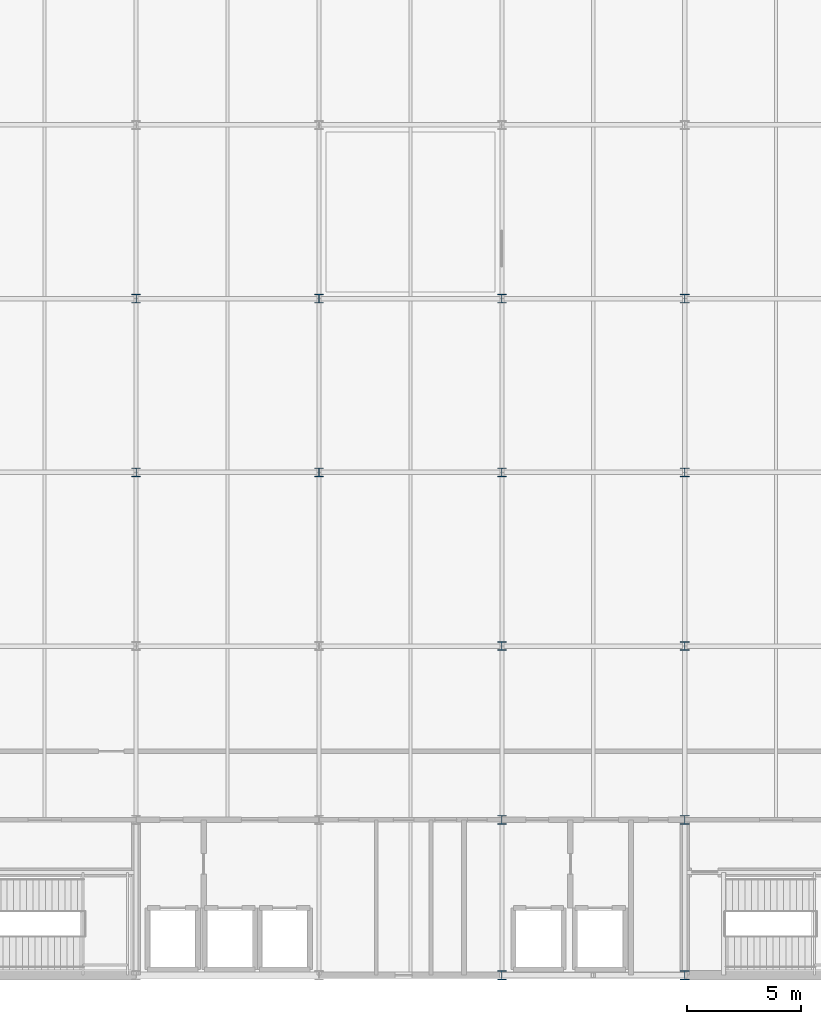
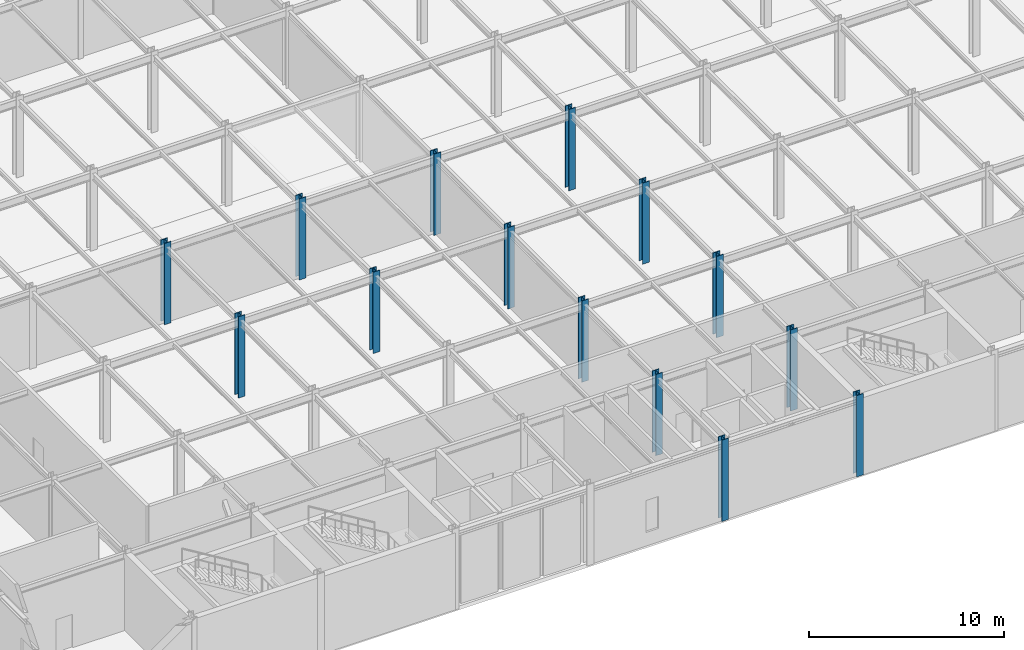
# One storey, part 2 of 79: 14 columns.
"""IFC4 building model written with IfcOpenShell, lengths in metres."""

from ifc_helpers import new_model, si_unit, direction, frame, origin, origin_2d, place, context, subcontext, project, spatial, i_section, extrude, material, material_profile, profile_set, type_object, element, save


model = new_model("IFC4")

# Units and contexts
model_context = context("Model", 3, precision=1e-05, world=origin(), true_north=direction((0.0, 1.0)))
body_context = subcontext(model_context, "Body", "Model", "MODEL_VIEW")
ifc_project = project(units=[si_unit("LENGTHUNIT", "METRE"), si_unit("AREAUNIT", "SQUARE_METRE"), si_unit("VOLUMEUNIT", "CUBIC_METRE"), si_unit("PLANEANGLEUNIT", "RADIAN"), si_unit("MASSUNIT", "GRAM", prefix="KILO")], contexts=[model_context])

# Site, building, storey
site_placement = place(None, origin())
site = spatial("IfcSite", under=ifc_project, at=site_placement, CompositionType="ELEMENT")
building_placement = place(site_placement, origin())
building = spatial("IfcBuilding", under=site, at=building_placement, Name="Shalkamar Park Central Library", CompositionType="ELEMENT")
storey_placement = place(building_placement, frame((0.0, 0.0, 10.5)))
storey = spatial("IfcBuildingStorey", under=building, at=storey_placement, Name="L03", CompositionType="ELEMENT", Elevation=10.5)

# Columns
ifc_material = material(Name="Steel S355", Category="steel")
ifc_material_profile = material_profile(ifc_material, i_section(OverallWidth=0.40087890625, OverallDepth=0.39892578125, WebThickness=0.02490234375, FlangeThickness=0.03955078125, FilletRadius=0.014892578125, at=origin_2d()), Name="HD 400x314")
ifc_profile_set = profile_set([ifc_material_profile], Name="Steel S355")
column_type = type_object("IfcColumnType", Name="Column Steel HD400x314", PredefinedType="COLUMN", material=ifc_profile_set)
for number, where, z_axis, x_axis, name in (
    (1, (173.0, 270.39990234375, 0.0), (0.0, 0.0, 1.0), (1.0, 0.0, 0.0), "Column 08/E (L03)"),
    (2, (173.0, 278.0, 0.0), (0.0, 0.0, 1.0), (1.0, 0.0, 0.0), "Column 08/F (L03)"),
    (3, (181.0, 270.39990234375, 0.0), (0.0, 0.0, 1.0), (1.0, 0.0, 0.0), "Column 09/E (L03)"),
    (4, (181.0, 278.0, 0.0), (0.0, 0.0, 1.0), (1.0, 0.0, 0.0), "Column 09/F (L03)"),
    (5, (189.0, 248.39990234375, 0.0), (0.0, 0.0, 1.0), (1.0, 0.0, 0.0), "Column 10/B (L03)"),
    (6, (189.0, 255.199951171875, 0.0), (0.0, 0.0, 1.0), (1.0, 0.0, 0.0), "Column 10/C (L03)"),
    (7, (189.0, 262.800048828125, 0.0), (0.0, 0.0, 1.0), (1.0, 0.0, 0.0), "Column 10/D (L03)"),
    (8, (189.0, 270.39990234375, 0.0), (0.0, 0.0, 1.0), (1.0, 0.0, 0.0), "Column 10/E (L03)"),
    (9, (189.0, 278.0, 0.0), (0.0, 0.0, 1.0), (1.0, 0.0, 0.0), "Column 10/F (L03)"),
    (10, (197.0, 248.39990234375, 0.0), (0.0, 0.0, 1.0), (1.0, 0.0, 0.0), "Column 11/B (L03)"),
    (11, (197.0, 255.199951171875, 0.0), (0.0, 0.0, 1.0), (1.0, 0.0, 0.0), "Column 11/C (L03)"),
    (12, (197.0, 262.800048828125, 0.0), (0.0, 0.0, 1.0), (1.0, 0.0, 0.0), "Column 11/D (L03)"),
    (13, (197.0, 270.39990234375, 0.0), (0.0, 0.0, 1.0), (1.0, 0.0, 0.0), "Column 11/E (L03)"),
    (14, (197.0, 278.0, 0.0), (0.0, 0.0, 1.0), (1.0, 0.0, 0.0), "Column 11/F (L03)"),
):
    element("IfcColumn", number, at=place(storey_placement, frame(where, z_axis=z_axis, x_axis=x_axis)), inside=storey, type_object=column_type, Name=name, PredefinedType="COLUMN", context=body_context, shape_type="SweptSolid", body=[
        extrude(i_section(OverallWidth=0.40087890625, OverallDepth=0.39892578125, WebThickness=0.02490234375, FlangeThickness=0.03955078125, FilletRadius=0.014892578125, at=origin_2d()), origin(), (0.0, 0.0, 1.0), 5.10009765625),
    ])

save(model, "model.ifc")
